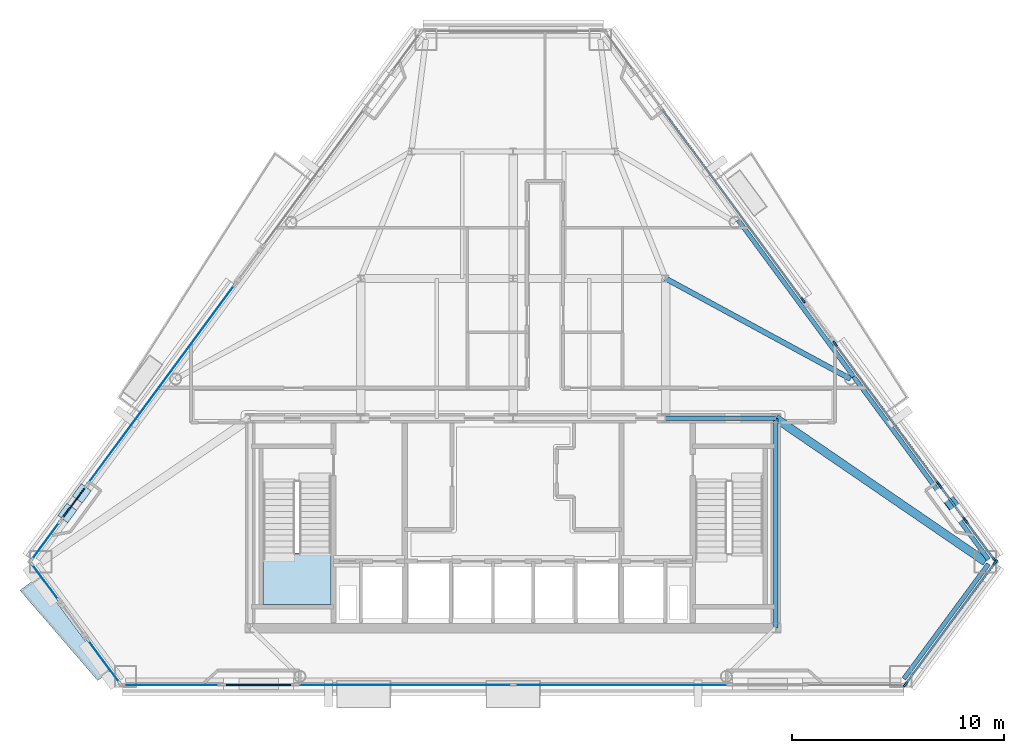
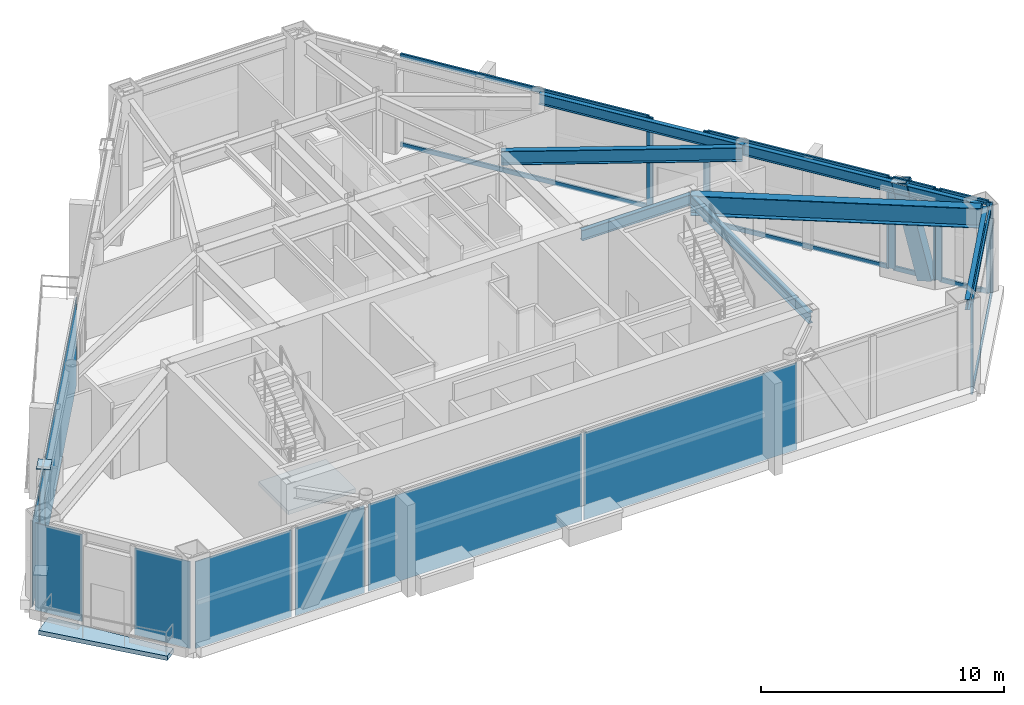
# One storey, part 4 of 10: 20 members, 11 plates, 7 beams, 2 slabs, 14 elements without a shape of their own.
"""IFC4 building model written with IfcOpenShell, lengths in metres."""

from ifc_helpers import new_model, si_unit, direction, frame, origin, origin_2d, place, context, subcontext, project, spatial, polyline, rectangle, hollow_rectangle, i_section, outline, extrude, source, transform, mapped, material, layer, layer_set, material_profile, profile_set, type_object, type_shapes, element, aggregate, save


model = new_model("IFC4")

# Units and contexts
model_context = context("Model", 3, precision=1e-05, world=origin(), true_north=direction((0.0, 1.0)))
body_context = subcontext(model_context, "Body", "Model", "MODEL_VIEW")
ifc_project = project(units=[si_unit("LENGTHUNIT", "METRE"), si_unit("AREAUNIT", "SQUARE_METRE"), si_unit("VOLUMEUNIT", "CUBIC_METRE"), si_unit("PLANEANGLEUNIT", "RADIAN"), si_unit("MASSUNIT", "GRAM", prefix="KILO")], contexts=[model_context])

# Site, building, storey
site_placement = place(None, origin())
site = spatial("IfcSite", under=ifc_project, at=site_placement, CompositionType="ELEMENT")
building_placement = place(site_placement, origin())
building = spatial("IfcBuilding", under=site, at=building_placement, Name="Talgorran Terracotta Tower", CompositionType="ELEMENT")
storey_placement = place(building_placement, frame((0.0, 0.0, 173.699951171875)))
storey = spatial("IfcBuildingStorey", under=building, at=storey_placement, Name="L45", CompositionType="ELEMENT", Elevation=173.699951171875)

# Beams
ifc_material_1 = material(Name="Steel Grade 350 (350L0)", Category="steel")
ifc_material_profile_1 = material_profile(ifc_material_1, i_section(OverallWidth=0.39990234375, OverallDepth=1.0, WebThickness=0.01611328125, FlangeThickness=0.031005859375, at=origin_2d()), Name="1000WB296")
ifc_profile_set_1 = profile_set([ifc_material_profile_1], Name="Steel Grade 350 (350L0)")
beam_type_1 = type_object("IfcBeamType", Name="BM_1000WB296", PredefinedType="BEAM", material=ifc_profile_set_1)
beam_1_placement = place(storey_placement, frame((12.39990234375, -4.199951171875, 4.050048828125), z_axis=(0.82528178588, -0.564721147023, 0.0), x_axis=(0.564721147023, 0.82528178588, 0.0)))
element("IfcBeam", 1, at=beam_1_placement, inside=storey, type_object=beam_type_1, Name="L45 Floor Girder G18", PredefinedType="BEAM", context=body_context, shape_type="SweptSolid", body=[
    extrude(i_section(OverallWidth=0.39990234375, OverallDepth=1.0, WebThickness=0.01611328125, FlangeThickness=0.031005859375, at=origin_2d()), origin(), (0.0, 0.0, 1.0), 11.98876953125),
])
ifc_material_2 = material(Name="Steel S355 (300PLUS)", Category="steel")
ifc_material_profile_2 = material_profile(ifc_material_2, i_section(OverallWidth=0.25, OverallDepth=0.699951171875, WebThickness=0.011962890625, FlangeThickness=0.02392578125, at=origin_2d()), Name="700WB150")
ifc_profile_set_2 = profile_set([ifc_material_profile_2], Name="Steel S355 (300PLUS)")
beam_type_2 = type_object("IfcBeamType", Name="BM_700WB150", PredefinedType="BEAM", material=ifc_profile_set_2)
beam_2_placement = place(storey_placement, frame((7.199951171875, 2.39990234375, 4.199951171875), z_axis=(0.878788070387, -0.477212245594, 0.0), x_axis=(0.477212245594, 0.878788070387, 0.0)))
element("IfcBeam", 2, at=beam_2_placement, inside=storey, type_object=beam_type_2, Name="L45 Floor Girder G07", PredefinedType="BEAM", context=body_context, shape_type="SweptSolid", body=[
    extrude(i_section(OverallWidth=0.25, OverallDepth=0.699951171875, WebThickness=0.011962890625, FlangeThickness=0.02392578125, at=origin_2d()), origin(), (0.0, 0.0, 1.0), 9.935302734375),
])
ifc_material_profile_3 = material_profile(ifc_material_2, i_section(OverallWidth=0.209228515625, OverallDepth=0.532958984375, WebThickness=0.01025390625, FlangeThickness=0.015625, at=origin_2d()), Name="530UB92.4")
ifc_profile_set_3 = profile_set([ifc_material_profile_3], Name="Steel S355 (300PLUS)")
beam_type_3 = type_object("IfcBeamType", Name="BM_SP_530UB92", PredefinedType="SPANDREL", material=ifc_profile_set_3)
beam_3_placement = place(storey_placement, frame((18.445556640625, -16.492431640625, 4.283447265625), z_axis=(0.593483681594, 0.804846022343, 0.0), x_axis=(-0.804846022343, 0.593483681594, 0.0)))
element("IfcBeam", 3, at=beam_3_placement, inside=storey, type_object=beam_type_3, Name="L45 Perimeter Spandrel Beam MC3-MC4", PredefinedType="SPANDREL", context=body_context, shape_type="SweptSolid", body=[
    extrude(i_section(OverallWidth=0.209228515625, OverallDepth=0.532958984375, WebThickness=0.01025390625, FlangeThickness=0.015625, at=origin_2d()), origin(), (0.0, 0.0, 1.0), 6.728271484375),
])
beam_4_placement = place(storey_placement, frame((22.438720703125, -10.863525390625, 4.283447265625), z_axis=(-0.593480195487, 0.804848592944, 0.0), x_axis=(-0.804848592944, -0.593480195487, 0.0)))
element("IfcBeam", 4, at=beam_4_placement, inside=storey, type_object=beam_type_3, Name="L45 Perimeter Spandrel Beam MC4-FC3", PredefinedType="SPANDREL", context=body_context, shape_type="SweptSolid", body=[
    extrude(i_section(OverallWidth=0.209228515625, OverallDepth=0.532958984375, WebThickness=0.01025390625, FlangeThickness=0.015625, at=origin_2d()), origin(), (0.0, 0.0, 1.0), 10.72119140625),
])
beam_5_placement = place(storey_placement, frame((16.075927734375, -2.234619140625, 4.283447265625), z_axis=(-0.593498050336, 0.804835426809, 0.0), x_axis=(-0.804835426809, -0.593498050336, 0.0)))
element("IfcBeam", 5, at=beam_5_placement, inside=storey, type_object=beam_type_3, Name="L45 Perimeter Spandrel Beam FC3-FC4", PredefinedType="SPANDREL", context=body_context, shape_type="SweptSolid", body=[
    extrude(i_section(OverallWidth=0.209228515625, OverallDepth=0.532958984375, WebThickness=0.01025390625, FlangeThickness=0.015625, at=origin_2d()), origin(), (0.0, 0.0, 1.0), 9.189697265625),
])
beam_6_placement = place(storey_placement, frame((12.39990234375, -14.10009765625, 4.283447265625), z_axis=(0.0, 1.0, 0.0), x_axis=(-1.0, 0.0, 0.0)))
element("IfcBeam", 6, at=beam_6_placement, inside=storey, type_object=beam_type_3, Name="L45 Core Frame Beam CFE", PredefinedType="SPANDREL", context=body_context, shape_type="SweptSolid", body=[
    extrude(i_section(OverallWidth=0.209228515625, OverallDepth=0.532958984375, WebThickness=0.01025390625, FlangeThickness=0.015625, at=origin_2d()), origin(), (0.0, 0.0, 1.0), 9.900146484375),
])
beam_7_placement = place(storey_placement, frame((7.199951171875, -4.199951171875, 4.283447265625), z_axis=(1.0, 0.0, 0.0), x_axis=(0.0, 1.0, 0.0)))
element("IfcBeam", 7, at=beam_7_placement, inside=storey, type_object=beam_type_3, Name="L45 Core Frame Beam CFN4", PredefinedType="SPANDREL", context=body_context, shape_type="SweptSolid", body=[
    extrude(i_section(OverallWidth=0.209228515625, OverallDepth=0.532958984375, WebThickness=0.01025390625, FlangeThickness=0.015625, at=origin_2d()), origin(), (0.0, 0.0, 1.0), 5.199951171875),
])

# Member
ifc_material_profile_4 = material_profile(ifc_material_1, hollow_rectangle(XDim=0.52001953125, YDim=0.659912109375, WallThickness=0.034912109375, at=origin_2d()), Name="WBOX660X520X35")
ifc_profile_set_4 = profile_set([ifc_material_profile_4], Name="Steel Grade 350 (350L0)")
member_type_1 = type_object("IfcMemberType", Name="MB_MEGA_660", PredefinedType="BRACE", material=ifc_profile_set_4)
member_1_placement = place(storey_placement, frame((21.044189453125, -8.6689453125, -0.02490234375), z_axis=(-0.143917953916, 0.195203206904, 0.970146035685), x_axis=(-0.804890374823, -0.593423528787, 0.0)))
element("IfcMember", 8, at=member_1_placement, inside=storey, type_object=member_type_1, Name="L45 Exterior Face Mega-Brace MB-3 (NEL)", PredefinedType="BRACE", context=body_context, shape_type="SweptSolid", body=[
    extrude(hollow_rectangle(XDim=0.52001953125, YDim=0.659912109375, WallThickness=0.034912109375, at=origin_2d()), origin(), (0.0, 0.0, 1.0), 4.741455078125),
])

# Curtain wall, members
ifc_material_3 = material(Name="Structural Laminated Low-Iron")
ifc_layer_1 = layer(ifc_material_3, 0.239990234375, Name="CW_SYS5_SKY_OBS")
ifc_layer_set_1 = layer_set([ifc_layer_1], Name="Structural Laminated Low-Iron")
curtain_wall_type = type_object("IfcCurtainWallType", Name="CW_SYS5_SKY_OBS", PredefinedType="NOTDEFINED", material=ifc_layer_set_1)
curtain_wall_1_placement = place(storey_placement, origin())
curtain_wall_1 = element("IfcCurtainWall", 9, at=curtain_wall_1_placement, inside=storey, type_object=curtain_wall_type, Name="CW-L45-F2", PredefinedType="NOTDEFINED")
ifc_material_4 = material(Name="Architectural Aluminium 6063-T6", Category="aluminium")
ifc_material_profile_5 = material_profile(ifc_material_4, rectangle(XDim=0.090087890625, YDim=0.280029296875, at=origin_2d()), Name="CWM90X280")
ifc_profile_set_5 = profile_set([ifc_material_profile_5], Name="Architectural Aluminium 6063-T6")
member_type_2 = type_object("IfcMemberType", Name="MUL_90X280", PredefinedType="MULLION", material=ifc_profile_set_5)
member_2_placement = place(storey_placement, frame((18.529296875, -16.749267578125, 0.0), z_axis=(0.0, 0.0, 1.0), x_axis=(-0.804841499819, 0.593489814714, 0.0)))
member_2 = element("IfcMember", 10, at=member_2_placement, type_object=member_type_2, Name="CW-L45-2 mullion 1", PredefinedType="MULLION", context=body_context, shape_type="SweptSolid", body=[
    extrude(rectangle(XDim=0.090087890625, YDim=0.280029296875, at=origin_2d()), origin(), (0.0, 0.0, 1.0), 4.550048828125),
])
member_3_placement = place(storey_placement, frame((22.76416015625, -11.006591796875, 0.0), z_axis=(0.0, 0.0, 1.0), x_axis=(-0.804841499819, 0.593489814714, 0.0)))
member_3 = element("IfcMember", 11, at=member_3_placement, type_object=member_type_2, Name="CW-L45-2 mullion 2", PredefinedType="MULLION", context=body_context, shape_type="SweptSolid", body=[
    extrude(rectangle(XDim=0.090087890625, YDim=0.280029296875, at=origin_2d()), origin(), (0.0, 0.0, 1.0), 4.550048828125),
])

curtain_wall_2_placement = place(storey_placement, origin())
curtain_wall_2 = element("IfcCurtainWall", 12, at=curtain_wall_2_placement, inside=storey, type_object=curtain_wall_type, Name="CW-L45-F40", PredefinedType="NOTDEFINED")
member_4_placement = place(storey_placement, frame((22.740478515625, -10.90185546875, 0.0), z_axis=(0.0, 0.0, 1.0), x_axis=(-0.804827057138, -0.593509400177, 0.0)))
member_4 = element("IfcMember", 13, at=member_4_placement, type_object=member_type_2, Name="CW-L45-40 mullion 1", PredefinedType="MULLION", context=body_context, shape_type="SweptSolid", body=[
    extrude(rectangle(XDim=0.090087890625, YDim=0.280029296875, at=origin_2d()), origin(), (0.0, 0.0, 1.0), 4.550048828125),
])
member_5_placement = place(storey_placement, frame((21.385009765625, -9.06396484375, 0.0), z_axis=(0.0, 0.0, 1.0), x_axis=(-0.804827057138, -0.593509400177, 0.0)))
member_5 = element("IfcMember", 14, at=member_5_placement, type_object=member_type_2, Name="CW-L45-40 mullion 2", PredefinedType="MULLION", context=body_context, shape_type="SweptSolid", body=[
    extrude(rectangle(XDim=0.090087890625, YDim=0.280029296875, at=origin_2d()), origin(), (0.0, 0.0, 1.0), 4.550048828125),
])

curtain_wall_3_placement = place(storey_placement, origin())
curtain_wall_3 = element("IfcCurtainWall", 15, at=curtain_wall_3_placement, inside=storey, type_object=curtain_wall_type, Name="CW-L45-F40B", PredefinedType="NOTDEFINED")
member_6_placement = place(storey_placement, frame((21.32568359375, -8.9833984375, 0.0), z_axis=(0.0, 0.0, 1.0), x_axis=(-0.804831038132, -0.593504001722, 0.0)))
member_6 = element("IfcMember", 16, at=member_6_placement, type_object=member_type_2, Name="CW-L45-40B mullion 1", PredefinedType="MULLION", context=body_context, shape_type="SweptSolid", body=[
    extrude(rectangle(XDim=0.090087890625, YDim=0.280029296875, at=origin_2d()), origin(), (0.0, 0.0, 1.0), 4.550048828125),
])
member_7_placement = place(storey_placement, frame((20.14453125, -7.381591796875, 0.0), z_axis=(0.0, 0.0, 1.0), x_axis=(-0.804831038132, -0.593504001722, 0.0)))
member_7 = element("IfcMember", 17, at=member_7_placement, type_object=member_type_2, Name="CW-L45-40B mullion 2", PredefinedType="MULLION", context=body_context, shape_type="SweptSolid", body=[
    extrude(rectangle(XDim=0.090087890625, YDim=0.280029296875, at=origin_2d()), origin(), (0.0, 0.0, 1.0), 4.550048828125),
])

curtain_wall_4_placement = place(storey_placement, origin())
curtain_wall_4 = element("IfcCurtainWall", 18, at=curtain_wall_4_placement, inside=storey, type_object=curtain_wall_type, Name="CW-L45-F40C", PredefinedType="NOTDEFINED")
member_8_placement = place(storey_placement, frame((20.085205078125, -7.301025390625, 0.0), z_axis=(0.0, 0.0, 1.0), x_axis=(-0.804835849426, -0.593497477231, 0.0)))
member_8 = element("IfcMember", 19, at=member_8_placement, type_object=member_type_2, Name="CW-L45-40C mullion 1", PredefinedType="MULLION", context=body_context, shape_type="SweptSolid", body=[
    extrude(rectangle(XDim=0.090087890625, YDim=0.280029296875, at=origin_2d()), origin(), (0.0, 0.0, 1.0), 4.550048828125),
])
member_9_placement = place(storey_placement, frame((15.200927734375, -0.677490234375, 0.0), z_axis=(0.0, 0.0, 1.0), x_axis=(-0.804835849426, -0.593497477231, 0.0)))
member_9 = element("IfcMember", 20, at=member_9_placement, type_object=member_type_2, Name="CW-L45-40C mullion 2", PredefinedType="MULLION", context=body_context, shape_type="SweptSolid", body=[
    extrude(rectangle(XDim=0.090087890625, YDim=0.280029296875, at=origin_2d()), origin(), (0.0, 0.0, 1.0), 4.550048828125),
])

# Curtain wall, member
curtain_wall_5_placement = place(storey_placement, origin())
curtain_wall_5 = element("IfcCurtainWall", 21, at=curtain_wall_5_placement, inside=storey, type_object=curtain_wall_type, Name="CW-L45-F41", PredefinedType="NOTDEFINED")
member_10_placement = place(storey_placement, frame((13.6875, 1.375, 0.0), z_axis=(0.0, 0.0, 1.0), x_axis=(-0.804839058038, -0.59349312604, 0.0)))
member_10 = element("IfcMember", 22, at=member_10_placement, type_object=member_type_2, Name="CW-L45-41 mullion 1", PredefinedType="MULLION", context=body_context, shape_type="SweptSolid", body=[
    extrude(rectangle(XDim=0.090087890625, YDim=0.280029296875, at=origin_2d()), origin(), (0.0, 0.0, 1.0), 4.550048828125),
])

# Member
ifc_material_profile_6 = material_profile(ifc_material_4, rectangle(XDim=0.090087890625, YDim=0.22509765625, at=origin_2d()), Name="CWT90X225")
ifc_profile_set_6 = profile_set([ifc_material_profile_6], Name="Architectural Aluminium 6063-T6")
member_type_3 = type_object("IfcMemberType", Name="TRN_90X225", PredefinedType="USERDEFINED", material=ifc_profile_set_6)
member_11_placement = place(storey_placement, frame((18.55615234375, -16.713134765625, 0.045166015625), z_axis=(0.593493326891, 0.804838909929, 0.0), x_axis=(-0.804838909929, 0.593493326891, 0.0)))
member_11 = element("IfcMember", 23, at=member_11_placement, type_object=member_type_3, Name="CW-L45-2 transom 1.1", ObjectType="TRANSOM", PredefinedType="USERDEFINED", context=body_context, shape_type="SweptSolid", body=[
    extrude(rectangle(XDim=0.090087890625, YDim=0.22509765625, at=origin_2d()), origin(), (0.0, 0.0, 1.0), 7.04541015625),
])

member_12_placement = place(storey_placement, frame((18.55615234375, -16.713134765625, 4.505126953125), z_axis=(0.593493326891, 0.804838909929, 0.0), x_axis=(-0.804838909929, 0.593493326891, 0.0)))
member_12 = element("IfcMember", 24, at=member_12_placement, type_object=member_type_3, Name="CW-L45-2 transom 1.2", ObjectType="TRANSOM", PredefinedType="USERDEFINED", context=body_context, shape_type="SweptSolid", body=[
    extrude(rectangle(XDim=0.090087890625, YDim=0.22509765625, at=origin_2d()), origin(), (0.0, 0.0, 1.0), 7.04541015625),
])

aggregate(curtain_wall_1, [member_2, member_3, member_11, member_12])

member_13_placement = place(storey_placement, frame((22.7138671875, -10.86572265625, 0.045166015625), z_axis=(-0.593498895069, 0.804834803889, 0.0), x_axis=(-0.804834803889, -0.593498895069, 0.0)))
member_13 = element("IfcMember", 25, at=member_13_placement, type_object=member_type_3, Name="CW-L45-40 transom 1.1", ObjectType="TRANSOM", PredefinedType="USERDEFINED", context=body_context, shape_type="SweptSolid", body=[
    extrude(rectangle(XDim=0.090087890625, YDim=0.22509765625, at=origin_2d()), origin(), (0.0, 0.0, 1.0), 2.19384765625),
])

member_14_placement = place(storey_placement, frame((22.7138671875, -10.86572265625, 4.505126953125), z_axis=(-0.593498895069, 0.804834803889, 0.0), x_axis=(-0.804834803889, -0.593498895069, 0.0)))
member_14 = element("IfcMember", 26, at=member_14_placement, type_object=member_type_3, Name="CW-L45-40 transom 1.2", ObjectType="TRANSOM", PredefinedType="USERDEFINED", context=body_context, shape_type="SweptSolid", body=[
    extrude(rectangle(XDim=0.090087890625, YDim=0.22509765625, at=origin_2d()), origin(), (0.0, 0.0, 1.0), 2.19384765625),
])

aggregate(curtain_wall_2, [member_4, member_5, member_13, member_14])

member_15_placement = place(storey_placement, frame((21.299072265625, -8.947265625, 0.045166015625), z_axis=(-0.593422518851, 0.80489111942, 0.0), x_axis=(-0.80489111942, -0.593422518851, 0.0)))
member_15 = element("IfcMember", 27, at=member_15_placement, type_object=member_type_3, Name="CW-L45-40B transom 1.1", ObjectType="TRANSOM", PredefinedType="USERDEFINED", context=body_context, shape_type="SweptSolid", body=[
    extrude(rectangle(XDim=0.090087890625, YDim=0.22509765625, at=origin_2d()), origin(), (0.0, 0.0, 1.0), 1.900390625),
])

member_16_placement = place(storey_placement, frame((21.299072265625, -8.947265625, 4.505126953125), z_axis=(-0.593422518851, 0.80489111942, 0.0), x_axis=(-0.80489111942, -0.593422518851, 0.0)))
member_16 = element("IfcMember", 28, at=member_16_placement, type_object=member_type_3, Name="CW-L45-40B transom 1.2", ObjectType="TRANSOM", PredefinedType="USERDEFINED", context=body_context, shape_type="SweptSolid", body=[
    extrude(rectangle(XDim=0.090087890625, YDim=0.22509765625, at=origin_2d()), origin(), (0.0, 0.0, 1.0), 1.900390625),
])

aggregate(curtain_wall_3, [member_6, member_7, member_15, member_16])

member_17_placement = place(storey_placement, frame((20.05859375, -7.264892578125, 0.045166015625), z_axis=(-0.593501834018, 0.80483263665, 0.0), x_axis=(-0.80483263665, -0.593501834018, 0.0)))
member_17 = element("IfcMember", 29, at=member_17_placement, type_object=member_type_3, Name="CW-L45-40C transom 1.1", ObjectType="TRANSOM", PredefinedType="USERDEFINED", context=body_context, shape_type="SweptSolid", body=[
    extrude(rectangle(XDim=0.090087890625, YDim=0.22509765625, at=origin_2d()), origin(), (0.0, 0.0, 1.0), 8.139892578125),
])

member_18_placement = place(storey_placement, frame((20.05859375, -7.264892578125, 4.505126953125), z_axis=(-0.593501834018, 0.80483263665, 0.0), x_axis=(-0.80483263665, -0.593501834018, 0.0)))
member_18 = element("IfcMember", 30, at=member_18_placement, type_object=member_type_3, Name="CW-L45-40C transom 1.2", ObjectType="TRANSOM", PredefinedType="USERDEFINED", context=body_context, shape_type="SweptSolid", body=[
    extrude(rectangle(XDim=0.090087890625, YDim=0.22509765625, at=origin_2d()), origin(), (0.0, 0.0, 1.0), 8.139892578125),
])

aggregate(curtain_wall_4, [member_8, member_9, member_17, member_18])

member_19_placement = place(storey_placement, frame((13.660888671875, 1.4111328125, 0.045166015625), z_axis=(-0.593492509869, 0.804839512406, 0.0), x_axis=(-0.804839512406, -0.593492509869, 0.0)))
member_19 = element("IfcMember", 31, at=member_19_placement, type_object=member_type_3, Name="CW-L45-41 transom 1.1", ObjectType="TRANSOM", PredefinedType="USERDEFINED", context=body_context, shape_type="SweptSolid", body=[
    extrude(rectangle(XDim=0.090087890625, YDim=0.22509765625, at=origin_2d()), origin(), (0.0, 0.0, 1.0), 11.15087890625),
])

member_20_placement = place(storey_placement, frame((13.660888671875, 1.4111328125, 4.505126953125), z_axis=(-0.593492509869, 0.804839512406, 0.0), x_axis=(-0.804839512406, -0.593492509869, 0.0)))
member_20 = element("IfcMember", 32, at=member_20_placement, type_object=member_type_3, Name="CW-L45-41 transom 1.2", ObjectType="TRANSOM", PredefinedType="USERDEFINED", context=body_context, shape_type="SweptSolid", body=[
    extrude(rectangle(XDim=0.090087890625, YDim=0.22509765625, at=origin_2d()), origin(), (0.0, 0.0, 1.0), 11.15087890625),
])

aggregate(curtain_wall_5, [member_10, member_19, member_20])

# Plates
ifc_layer_2 = layer(ifc_material_1, 0.031982421875, Name="PL_CAP_MN07")
ifc_layer_set_2 = layer_set([ifc_layer_2], Name="Steel Grade 350 (350L0)")
plate_type_1 = type_object("IfcPlateType", Name="PL_CAP_MN07", PredefinedType="USERDEFINED", material=ifc_layer_set_2)
for number, where, z_axis, x_axis, name in (
    (33, (-21.044189453125, -8.6689453125, -0.005859375), (0.0, 0.0, 1.0), (0.593418886604, 0.804893797356, 0.0), "L45 Diagonal Frame End Cap NWL Bot"),
    (34, (-20.36181640625, -7.743408203125, 4.52392578125), (0.0, 0.0, 1.0), (0.593418886604, 0.804893797356, 0.0), "L45 Diagonal Frame End Cap NWL Top"),
):
    element("IfcPlate", number, at=place(storey_placement, frame(where, z_axis=z_axis, x_axis=x_axis)), inside=storey, type_object=plate_type_1, Name=name, ObjectType="CAP PLATE", PredefinedType="USERDEFINED", context=body_context, shape_type="SweptSolid", body=[
        extrude(rectangle(XDim=0.719970703125, YDim=0.580078125, at=origin_2d()), origin(), (0.0, 0.0, 1.0), 0.031982421875),
    ])

# Slab
ifc_material_5 = material(Name="Concrete C40/50", Category="concrete")
ifc_layer_3 = layer(ifc_material_5, 0.219970703125, Name="SL_BALCONY_220")
ifc_layer_set_3 = layer_set([ifc_layer_3], Name="Concrete C40/50")
slab_type_1 = type_object("IfcSlabType", Name="SL_BALCONY_220", PredefinedType="FLOOR", material=ifc_layer_set_3)
slab_1_placement = place(storey_placement, frame((0.0, 0.0, -0.219970703125)))
element("IfcSlab", 35, at=slab_1_placement, inside=storey, type_object=slab_type_1, Name="L45 Outdoor Wave Balcony BAL-SW", PredefinedType="FLOOR", context=body_context, shape_type="SweptSolid", body=[
    extrude(outline(polyline([(-19.1005859375, -16.202392578125), (-22.427001953125, -11.69140625), (-23.278564453125, -12.3193359375), (-19.612060546875, -16.579345703125), (-19.1005859375, -16.202392578125)])), origin(), (0.0, 0.0, 1.0), 0.219970703125),
])

# Stair, slab
stair_type = type_object("IfcStairType", Name="ST_FIRE_SCISSOR", PredefinedType="HALF_TURN_STAIR", material=ifc_material_5)
stair_placement = place(storey_placement, origin())
stair = element("IfcStair", 36, at=stair_placement, inside=storey, type_object=stair_type, Name="L45 West Protected Fire Stair ST-01", PredefinedType="HALF_TURN_STAIR")
ifc_layer_4 = layer(ifc_material_5, 0.199951171875, Name="SL_LANDING_200")
ifc_layer_set_4 = layer_set([ifc_layer_4], Name="Concrete C40/50")
slab_type_2 = type_object("IfcSlabType", Name="SL_LANDING_200", PredefinedType="LANDING", material=ifc_layer_set_4)
slab_2_placement = place(storey_placement, frame((0.0, 0.0, 2.199951171875)))
slab_2 = element("IfcSlab", 37, at=slab_2_placement, type_object=slab_type_2, Name="ST-01 landing 1", PredefinedType="LANDING", context=body_context, shape_type="SweptSolid", body=[
    extrude(outline(polyline([(-11.800048828125, -10.56005859375), (-11.800048828125, -13.0), (-8.60009765625, -13.0), (-8.60009765625, -10.56005859375), (-11.800048828125, -10.56005859375)])), origin(), (0.0, 0.0, 1.0), 0.2001953125),
])
aggregate(stair, [slab_2])

# Curtain wall, plate
curtain_wall_6_placement = place(storey_placement, origin())
curtain_wall_6 = element("IfcCurtainWall", 38, at=curtain_wall_6_placement, inside=storey, type_object=curtain_wall_type, Name="CW-L45-F10", PredefinedType="NOTDEFINED")
ifc_material_6 = material(Name="Low-Iron Structural Vision Glass", Category="glass")
ifc_layer_5 = layer(ifc_material_6, 0.035888671875, Name="PLT_LOWIRON_36")
ifc_layer_set_5 = layer_set([ifc_layer_5], Name="Low-Iron Structural Vision Glass")
plate_type_2 = type_object("IfcPlateType", Name="PLT_LOWIRON_36", PredefinedType="CURTAIN_PANEL", material=ifc_layer_set_5)
shared_shape_1 = source(origin(), body_context, "Body", "SweptSolid", [
    extrude(rectangle(XDim=2.120849609375, YDim=0.035888671875, at=origin_2d()), origin(), (0.0, 0.0, 1.0), 4.3701171875),
])
plate_1_placement = place(storey_placement, frame((-22.08447265625, -11.928466796875, 0.090087890625), z_axis=(0.0, 0.0, 1.0), x_axis=(0.593505898621, -0.804829639304, 0.0)))
plate_1 = element("IfcPlate", 39, at=plate_1_placement, type_object=plate_type_2, Name="CW-L45-10 panel 1.1", PredefinedType="CURTAIN_PANEL", context=body_context, shape_type="MappedRepresentation", body=[
    mapped(shared_shape_1, transform((0.0, 0.0, 0.0), scale=1.0)),
])
aggregate(curtain_wall_6, [plate_1])

curtain_wall_7_placement = place(storey_placement, origin())
curtain_wall_7 = element("IfcCurtainWall", 40, at=curtain_wall_7_placement, inside=storey, type_object=curtain_wall_type, Name="CW-L45-F11", PredefinedType="NOTDEFINED")
shared_shape_2 = source(origin(), body_context, "Body", "SweptSolid", [
    extrude(rectangle(XDim=2.504638671875, YDim=0.035888671875, at=origin_2d()), origin(), (0.0, 0.0, 1.0), 4.3701171875),
])
plate_2_placement = place(storey_placement, frame((-19.322998046875, -15.673095703125, 0.090087890625), z_axis=(0.0, 0.0, 1.0), x_axis=(0.593514098343, -0.804823592515, 0.0)))
plate_2 = element("IfcPlate", 41, at=plate_2_placement, type_object=plate_type_2, Name="CW-L45-11 panel 1.1", PredefinedType="CURTAIN_PANEL", context=body_context, shape_type="MappedRepresentation", body=[
    mapped(shared_shape_2, transform((0.0, 0.0, 0.0), scale=1.0)),
])
aggregate(curtain_wall_7, [plate_2])

curtain_wall_8_placement = place(storey_placement, origin())
curtain_wall_8 = element("IfcCurtainWall", 42, at=curtain_wall_8_placement, inside=storey, type_object=curtain_wall_type, Name="CW-L45-F1", PredefinedType="NOTDEFINED")
shared_shape_3 = source(origin(), body_context, "Body", "SweptSolid", [
    extrude(rectangle(XDim=4.57275390625, YDim=0.035888671875, at=origin_2d()), origin(), (0.0, 0.0, 1.0), 4.3701171875),
])
plate_3_placement = place(storey_placement, frame((-16.12646484375, -16.78564453125, 0.090087890625), z_axis=(0.0, 0.0, 1.0), x_axis=(1.0, 0.0, 0.0)))
plate_3 = element("IfcPlate", 43, at=plate_3_placement, type_object=plate_type_2, Name="CW-L45-1 panel 1.1", PredefinedType="CURTAIN_PANEL", context=body_context, shape_type="MappedRepresentation", body=[
    mapped(shared_shape_3, transform((0.0, 0.0, 0.0), scale=1.0)),
])
aggregate(curtain_wall_8, [plate_3])

curtain_wall_9_placement = place(storey_placement, origin())
curtain_wall_9 = element("IfcCurtainWall", 44, at=curtain_wall_9_placement, inside=storey, type_object=curtain_wall_type, Name="CW-L45-F1B", PredefinedType="NOTDEFINED")
ifc_material_7 = material(Name="Terracotta Insulated Spandrel", Category="masonry")
ifc_layer_6 = layer(ifc_material_7, 0.06494140625, Name="PLT_SPANDREL_TERRA")
ifc_layer_set_6 = layer_set([ifc_layer_6], Name="Terracotta Insulated Spandrel")
plate_type_3 = type_object("IfcPlateType", Name="PLT_SPANDREL_TERRA", PredefinedType="SHEET", material=ifc_layer_set_6)
shared_shape_4 = source(origin(), body_context, "Body", "SweptSolid", [
    extrude(rectangle(XDim=3.272705078125, YDim=0.06494140625, at=origin_2d()), origin(), (0.0, 0.0, 1.0), 4.3701171875),
])
plate_4_placement = place(storey_placement, frame((-12.013671875, -16.78564453125, 0.090087890625), z_axis=(0.0, 0.0, 1.0), x_axis=(1.0, 0.0, 0.0)))
plate_4 = element("IfcPlate", 45, at=plate_4_placement, type_object=plate_type_3, Name="CW-L45-1B panel 1.1", PredefinedType="CURTAIN_PANEL", context=body_context, shape_type="MappedRepresentation", body=[
    mapped(shared_shape_4, transform((0.0, 0.0, 0.0), scale=1.0)),
])
aggregate(curtain_wall_9, [plate_4])

# Curtain wall, plates
curtain_wall_10_placement = place(storey_placement, origin())
curtain_wall_10 = element("IfcCurtainWall", 46, at=curtain_wall_10_placement, inside=storey, type_object=curtain_wall_type, Name="CW-L45-F1C", PredefinedType="NOTDEFINED")
shared_shape_5 = source(origin(), body_context, "Body", "SweptSolid", [
    extrude(rectangle(XDim=10.142333984375, YDim=0.035888671875, at=origin_2d()), origin(), (0.0, 0.0, 1.0), 4.3701171875),
])
plate_5_placement = place(storey_placement, frame((-5.1162109375, -16.78564453125, 0.090087890625), z_axis=(0.0, 0.0, 1.0), x_axis=(1.0, 0.0, 0.0)))
plate_5 = element("IfcPlate", 47, at=plate_5_placement, type_object=plate_type_2, Name="CW-L45-1C panel 1.1", PredefinedType="CURTAIN_PANEL", context=body_context, shape_type="MappedRepresentation", body=[
    mapped(shared_shape_5, transform((0.0, 0.0, 0.0), scale=1.0)),
])
plate_6_placement = place(storey_placement, frame((5.1162109375, -16.78564453125, 0.090087890625), z_axis=(0.0, 0.0, 1.0), x_axis=(1.0, 0.0, 0.0)))
plate_6 = element("IfcPlate", 48, at=plate_6_placement, type_object=plate_type_2, Name="CW-L45-1C panel 2.1", PredefinedType="CURTAIN_PANEL", context=body_context, shape_type="MappedRepresentation", body=[
    mapped(shared_shape_5, transform((0.0, 0.0, 0.0), scale=1.0)),
])
aggregate(curtain_wall_10, [plate_5, plate_6])

# Curtain wall, plate
curtain_wall_11_placement = place(storey_placement, origin())
curtain_wall_11 = element("IfcCurtainWall", 49, at=curtain_wall_11_placement, inside=storey, type_object=curtain_wall_type, Name="CW-L45-F61C", PredefinedType="NOTDEFINED")
shared_shape_6 = source(origin(), body_context, "Body", "SweptSolid", [
    extrude(rectangle(XDim=2.193603515625, YDim=0.035888671875, at=origin_2d()), origin(), (0.0, 0.0, 1.0), 4.3701171875),
])
plate_7_placement = place(storey_placement, frame((-22.062744140625, -9.98291015625, 0.090087890625), z_axis=(0.0, 0.0, 1.0), x_axis=(-0.593509400177, -0.804827057138, 0.0)))
plate_7 = element("IfcPlate", 50, at=plate_7_placement, type_object=plate_type_2, Name="CW-L45-61C panel 1.1", PredefinedType="CURTAIN_PANEL", context=body_context, shape_type="MappedRepresentation", body=[
    mapped(shared_shape_6, transform((0.0, 0.0, 0.0), scale=1.0)),
])
aggregate(curtain_wall_11, [plate_7])

curtain_wall_12_placement = place(storey_placement, origin())
curtain_wall_12 = element("IfcCurtainWall", 51, at=curtain_wall_12_placement, inside=storey, type_object=curtain_wall_type, Name="CW-L45-F61B", PredefinedType="NOTDEFINED")
shared_shape_7 = source(origin(), body_context, "Body", "SweptSolid", [
    extrude(rectangle(XDim=1.900146484375, YDim=0.06494140625, at=origin_2d()), origin(), (0.0, 0.0, 1.0), 4.3701171875),
])
type_shapes(plate_type_3, [shared_shape_4, shared_shape_7])
plate_8_placement = place(storey_placement, frame((-20.735107421875, -8.1826171875, 0.090087890625), z_axis=(0.0, 0.0, 1.0), x_axis=(-0.593504001722, -0.804831038132, 0.0)))
plate_8 = element("IfcPlate", 52, at=plate_8_placement, type_object=plate_type_3, Name="CW-L45-61B panel 1.1", PredefinedType="CURTAIN_PANEL", context=body_context, shape_type="MappedRepresentation", body=[
    mapped(shared_shape_7, transform((0.0, 0.0, 0.0), scale=1.0)),
])
aggregate(curtain_wall_12, [plate_8])

curtain_wall_13_placement = place(storey_placement, origin())
curtain_wall_13 = element("IfcCurtainWall", 53, at=curtain_wall_13_placement, inside=storey, type_object=curtain_wall_type, Name="CW-L45-F61", PredefinedType="NOTDEFINED")
shared_shape_8 = source(origin(), body_context, "Body", "SweptSolid", [
    extrude(rectangle(XDim=11.630615234375, YDim=0.035888671875, at=origin_2d()), origin(), (0.0, 0.0, 1.0), 4.3701171875),
])
type_shapes(plate_type_2, [shared_shape_1, shared_shape_2, shared_shape_3, shared_shape_5, shared_shape_6, shared_shape_8])
plate_9_placement = place(storey_placement, frame((-16.607177734375, -2.58447265625, 0.090087890625), z_axis=(0.0, 0.0, 1.0), x_axis=(-0.593493883712, -0.804838499325, 0.0)))
plate_9 = element("IfcPlate", 54, at=plate_9_placement, type_object=plate_type_2, Name="CW-L45-61 panel 1.1", PredefinedType="CURTAIN_PANEL", context=body_context, shape_type="MappedRepresentation", body=[
    mapped(shared_shape_8, transform((0.0, 0.0, 0.0), scale=1.0)),
])
aggregate(curtain_wall_13, [plate_9])

save(model, "model.ifc")
